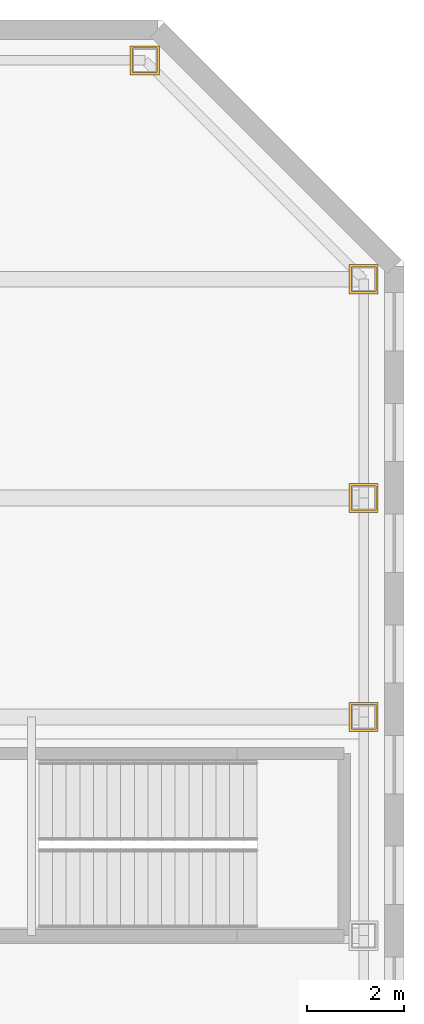
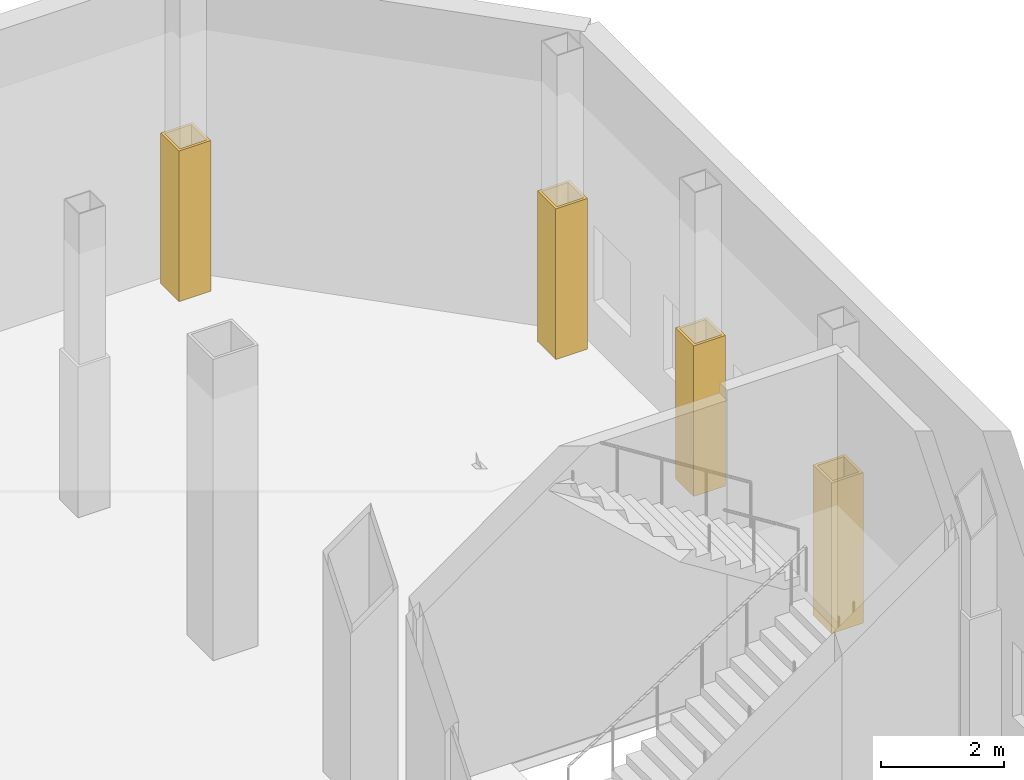
# One storey, part 12 of 13: 4 coverings.
"""IFC4 building model written with IfcOpenShell, lengths in metres."""

import ifcopenshell
import ifcopenshell.guid

model = None  # the IFC model being written
_history = None  # IfcOwnerHistory: only IFC2X3 demands one
_inside = {}  # id of a spatial element -> (the spatial element, [elements in it])
_under = {}  # id of a project, library or spatial element -> (it, [spatial elements below it])
_declared = {}  # id of a project -> (the project, [libraries it declares])
_typed = {}  # id of a type object -> (the type object, [elements of that type])
_made_of = {}  # id of a material, layer set ... -> (it, [elements and type objects made of it])


def new_model(schema):
    """Start an empty IFC model of exactly this schema.

    Asked for "IFC4X3", IfcOpenShell would pick the latest addendum, in which some entities
    have other attributes; the version numbers below select the first issue.
    IFC2X3 requires an IfcOwnerHistory on every rooted entity: one is made here for all.
    """
    global model, _history
    if schema == "IFC4X3":
        model = ifcopenshell.file(schema_version=(4, 3, 0, 0))
    else:
        model = ifcopenshell.file(schema=schema)
    _inside.clear()
    _under.clear()
    _declared.clear()
    _typed.clear()
    _made_of.clear()
    _history = None
    if model.schema == "IFC2X3":
        org = make("IfcOrganization", Name="unknown")
        user = make(
            "IfcPersonAndOrganization",
            ThePerson=make("IfcPerson", FamilyName="unknown"),
            TheOrganization=org,
        )
        app = make(
            "IfcApplication",
            ApplicationDeveloper=org,
            Version="unknown",
            ApplicationFullName="unknown",
            ApplicationIdentifier="unknown",
        )
        _history = make(
            "IfcOwnerHistory",
            OwningUser=user,
            OwningApplication=app,
            ChangeAction="ADDED",
            CreationDate=0,
        )
    return model


def make(cls, **values):
    """One entity of the class cls with the attributes given. An attribute that is None is left unset."""
    return model.create_entity(
        cls, **{name: value for name, value in values.items() if value is not None}
    )


def rooted(cls, **values):
    """An entity with a GlobalId (a new one), such as an element, a storey or a relation."""
    return make(cls, GlobalId=ifcopenshell.guid.new(), OwnerHistory=_history, **values)


def si_unit(unit_type, name, prefix=None):
    """IfcSIUnit, for example si_unit("LENGTHUNIT", "METRE", prefix="MILLI")."""
    return make("IfcSIUnit", UnitType=unit_type, Prefix=prefix, Name=name)


def assignment(units):
    """IfcUnitAssignment: the units of a project."""
    return None if units is None else make("IfcUnitAssignment", Units=units)


def point(xyz):
    """IfcCartesianPoint."""
    return None if xyz is None else make("IfcCartesianPoint", Coordinates=xyz)


def direction(xyz):
    """IfcDirection."""
    return None if xyz is None else make("IfcDirection", DirectionRatios=xyz)


def frame(location, z_axis=None, x_axis=None):
    """IfcAxis2Placement3D, a coordinate frame: its origin and axes. An axis left out is left unset."""
    return make(
        "IfcAxis2Placement3D",
        Location=point(location),
        Axis=direction(z_axis),
        RefDirection=direction(x_axis),
    )


def origin():
    """The frame at (0, 0, 0) with its axes left unset."""
    return frame((0.0, 0.0, 0.0))


def place(relative_to, where):
    """IfcLocalPlacement: puts the frame where relative to a parent placement (None: the world)."""
    return make(
        "IfcLocalPlacement", PlacementRelTo=relative_to, RelativePlacement=where
    )


def context(
    kind, dimensions, precision=None, world=None, true_north=None, identifier=None
):
    """IfcGeometricRepresentationContext, for example the 3D "Model" context."""
    return make(
        "IfcGeometricRepresentationContext",
        ContextIdentifier=identifier,
        ContextType=kind,
        CoordinateSpaceDimension=dimensions,
        Precision=precision,
        WorldCoordinateSystem=world,
        TrueNorth=true_north,
    )


def subcontext(parent, identifier, kind, view, scale=None):
    """IfcGeometricRepresentationSubContext, for example "Body" below "Model"."""
    return make(
        "IfcGeometricRepresentationSubContext",
        ContextIdentifier=identifier,
        ContextType=kind,
        ParentContext=parent,
        TargetScale=scale,
        TargetView=view,
    )


def project(units=None, contexts=None):
    """IfcProject with its units and contexts."""
    return rooted(
        "IfcProject",
        Name="project",
        RepresentationContexts=contexts,
        UnitsInContext=assignment(units),
    )


def spatial(cls, under=None, at=None, **own):
    """A site, building, storey or space (cls), placed at a placement, below another one or the project."""
    s = rooted(cls, ObjectPlacement=at, **own)
    if under is not None:
        _under.setdefault(under.id(), (under, []))[1].append(s)
    return s


def polyline(points):
    """IfcPolyline through the points."""
    return make("IfcPolyline", Points=[point(p) for p in points])


def outline(outer, holes=None, kind="AREA"):
    """IfcArbitraryClosedProfileDef: a profile drawn as a closed curve; with holes, ...WithVoids."""
    if holes is None:
        return make("IfcArbitraryClosedProfileDef", ProfileType=kind, OuterCurve=outer)
    return make(
        "IfcArbitraryProfileDefWithVoids",
        ProfileType=kind,
        OuterCurve=outer,
        InnerCurves=holes,
    )


def extrude(swept, where, along, depth):
    """IfcExtrudedAreaSolid: the profile swept, set in the frame where, extruded along a direction by depth."""
    return make(
        "IfcExtrudedAreaSolid",
        SweptArea=swept,
        Position=where,
        ExtrudedDirection=direction(along),
        Depth=depth,
    )


def shape(context_of_items, identifier, shape_type, items):
    """IfcShapeRepresentation: the items that make up one representation, for example the "Body"."""
    return make(
        "IfcShapeRepresentation",
        ContextOfItems=context_of_items,
        RepresentationIdentifier=identifier,
        RepresentationType=shape_type,
        Items=items,
    )


def material(Name=None, Category=None):
    """IfcMaterial."""
    return make("IfcMaterial", Name=Name, Category=Category)


def layer(
    of_material, thickness, ventilated=None, Name=None, Category=None, Priority=None
):
    """IfcMaterialLayer: one layer of a wall or slab, of a material (None: an air gap)."""
    return make(
        "IfcMaterialLayer",
        Material=of_material,
        LayerThickness=thickness,
        IsVentilated=ventilated,
        Name=Name,
        Category=Category,
        Priority=Priority,
    )


def layer_set(layers, Name=None):
    """IfcMaterialLayerSet."""
    return make("IfcMaterialLayerSet", MaterialLayers=layers, LayerSetName=Name)


def made_of(thing, what):
    """Note that an element or type object is made of a material, layer set ...; save() writes the relation."""
    if what is not None:
        _made_of.setdefault(what.id(), (what, []))[1].append(thing)
    return thing


def type_object(cls, material=None, **own):
    """A type object (cls), such as IfcWallType, which elements share."""
    return made_of(rooted(cls, **own), material)


def element(
    cls,
    number,
    at=None,
    inside=None,
    cuts=None,
    type_object=None,
    material=None,
    context=None,
    identifier="Body",
    shape_type=None,
    held_by="IfcProductDefinitionShape",
    body=None,
    shapes=None,
    **own,
):
    """One element of the class cls, such as IfcWall. Its Tag is "e" and its number.

    at: its placement. inside: the storey or other place that contains it. cuts: it is an
    opening in that element (IfcRelVoidsElement). A single representation is given by context,
    identifier, shape_type and body (its items); several are given by shapes. held_by: the class
    of the entity that holds the representations. save() writes the other relations.
    """
    e = rooted(cls, Tag="e%d" % number, ObjectPlacement=at, **own)
    if body is not None:
        shapes = [shape(context, identifier, shape_type, body)]
    if shapes is not None:
        e.Representation = make(held_by, Representations=shapes)
    if inside is not None:
        _inside.setdefault(inside.id(), (inside, []))[1].append(e)
    if cuts is not None:
        rooted(
            "IfcRelVoidsElement", RelatingBuildingElement=cuts, RelatedOpeningElement=e
        )
    if type_object is not None:
        _typed.setdefault(type_object.id(), (type_object, []))[1].append(e)
    return made_of(e, material)


def aggregate(whole, parts):
    """IfcRelAggregates: a whole, such as a stair, and the parts it consists of."""
    return rooted("IfcRelAggregates", RelatingObject=whole, RelatedObjects=parts)


def save(model, path):
    """Write the relations noted so far, then the file.

    IfcRelAggregates (storeys below a building ...), IfcRelContainedInSpatialStructure (elements
    in a storey), IfcRelDefinesByType, IfcRelAssociatesMaterial and IfcRelDeclares: one each for
    every whole, place, type object, material and project.
    """
    for whole, parts in _under.values():
        aggregate(whole, parts)
    for where, things in _inside.values():
        rooted(
            "IfcRelContainedInSpatialStructure",
            RelatedElements=things,
            RelatingStructure=where,
        )
    for kind, things in _typed.values():
        rooted("IfcRelDefinesByType", RelatedObjects=things, RelatingType=kind)
    for what, things in _made_of.values():
        rooted("IfcRelAssociatesMaterial", RelatedObjects=things, RelatingMaterial=what)
    for by, libraries in _declared.values():
        rooted("IfcRelDeclares", RelatingContext=by, RelatedDefinitions=libraries)
    model.write(path)


model = new_model("IFC4")

# Units and contexts
model_context = context("Model", 3, precision=1e-05, world=origin(), true_north=direction((0.0, 1.0)))
body_context = subcontext(model_context, "Body", "Model", "MODEL_VIEW")
ifc_project = project(units=[si_unit("LENGTHUNIT", "METRE"), si_unit("AREAUNIT", "SQUARE_METRE"), si_unit("VOLUMEUNIT", "CUBIC_METRE"), si_unit("PLANEANGLEUNIT", "RADIAN"), si_unit("MASSUNIT", "GRAM", prefix="KILO")], contexts=[model_context])

# Site, building, storey
site_placement = place(None, origin())
site = spatial("IfcSite", under=ifc_project, at=site_placement, CompositionType="ELEMENT")
building_placement = place(site_placement, origin())
building = spatial("IfcBuilding", under=site, at=building_placement, Name="Corais Broadcast Tower", CompositionType="ELEMENT")
storey_placement = place(building_placement, frame((0.0, 0.0, 12.0)))
storey = spatial("IfcBuildingStorey", under=building, at=storey_placement, Name="L02", CompositionType="ELEMENT", Elevation=12.0)

# Coverings
ifc_material = material(Name="Granite stone cladding", Category="masonry")
ifc_layer = layer(ifc_material, 0.050048828125)
ifc_layer_set = layer_set([ifc_layer], Name="Granite stone cladding")
covering_type = type_object("IfcCoveringType", Name="Pier cladding", PredefinedType="CLADDING", material=ifc_layer_set)
covering_1_placement = place(storey_placement, origin())
element("IfcCovering", 1, at=covering_1_placement, inside=storey, type_object=covering_type, Name="PC pier cladding L02", PredefinedType="CLADDING", context=body_context, shape_type="SweptSolid", body=[
    extrude(outline(polyline([(62.699951171875, 40.199951171875), (63.300048828125, 40.199951171875), (63.300048828125, 40.800048828125), (62.699951171875, 40.800048828125), (62.699951171875, 40.199951171875)]), holes=[polyline([(62.75, 40.25), (63.25, 40.25), (63.25, 40.75), (62.75, 40.75), (62.75, 40.25)])]), origin(), (0.0, 0.0, 1.0), 3.0),
])
covering_2_placement = place(storey_placement, origin())
element("IfcCovering", 2, at=covering_2_placement, inside=storey, type_object=covering_type, Name="PC pier cladding L02", PredefinedType="CLADDING", context=body_context, shape_type="SweptSolid", body=[
    extrude(outline(polyline([(62.699951171875, 44.699951171875), (63.300048828125, 44.699951171875), (63.300048828125, 45.300048828125), (62.699951171875, 45.300048828125), (62.699951171875, 44.699951171875)]), holes=[polyline([(62.75, 44.75), (63.25, 44.75), (63.25, 45.25), (62.75, 45.25), (62.75, 44.75)])]), origin(), (0.0, 0.0, 1.0), 3.0),
])
covering_3_placement = place(storey_placement, origin())
element("IfcCovering", 3, at=covering_3_placement, inside=storey, type_object=covering_type, Name="PC pier cladding L02", PredefinedType="CLADDING", context=body_context, shape_type="SweptSolid", body=[
    extrude(outline(polyline([(62.699951171875, 49.199951171875), (63.300048828125, 49.199951171875), (63.300048828125, 49.800048828125), (62.699951171875, 49.800048828125), (62.699951171875, 49.199951171875)]), holes=[polyline([(62.75, 49.25), (63.25, 49.25), (63.25, 49.75), (62.75, 49.75), (62.75, 49.25)])]), origin(), (0.0, 0.0, 1.0), 3.0),
])
covering_4_placement = place(storey_placement, origin())
element("IfcCovering", 4, at=covering_4_placement, inside=storey, type_object=covering_type, Name="PC pier cladding L02", PredefinedType="CLADDING", context=body_context, shape_type="SweptSolid", body=[
    extrude(outline(polyline([(58.199951171875, 53.699951171875), (58.800048828125, 53.699951171875), (58.800048828125, 54.300048828125), (58.199951171875, 54.300048828125), (58.199951171875, 53.699951171875)]), holes=[polyline([(58.25, 53.75), (58.75, 53.75), (58.75, 54.25), (58.25, 54.25), (58.25, 53.75)])]), origin(), (0.0, 0.0, 1.0), 3.0),
])

save(model, "model.ifc")
